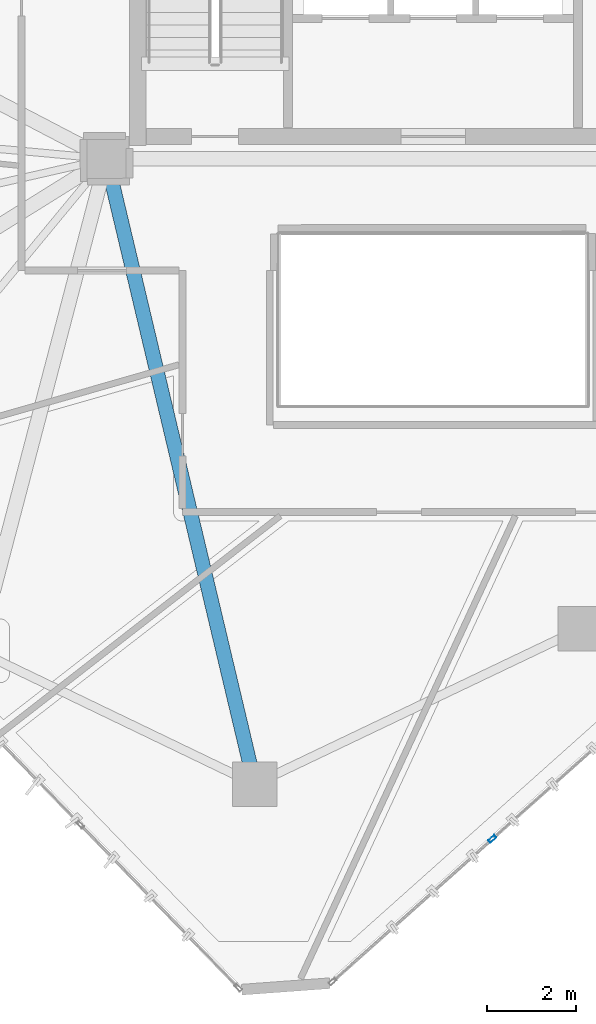
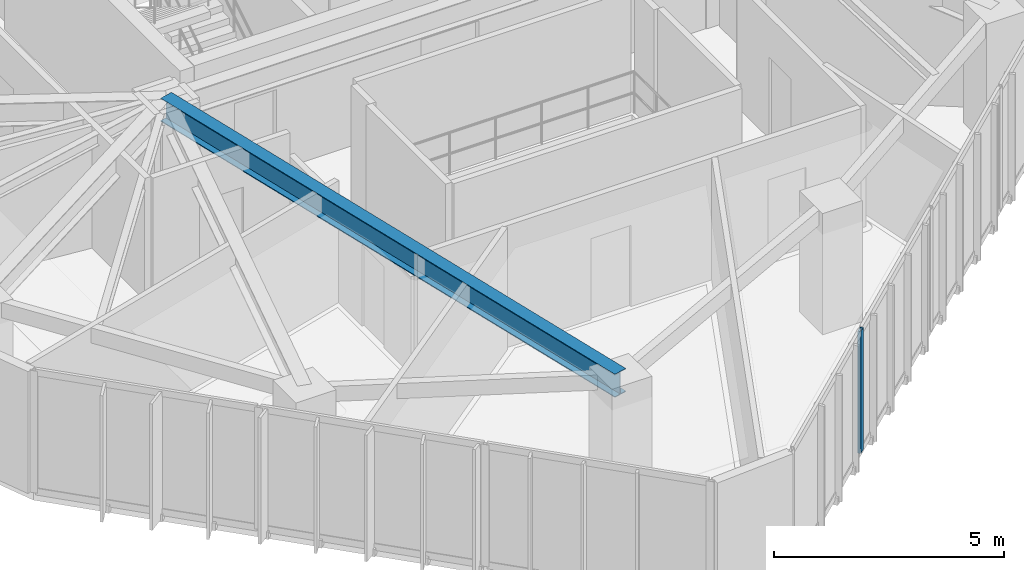
# One storey, part 4 of 19: 1 beam, 1 member, 1 element without a shape of its own.
"""IFC4 building model written with IfcOpenShell, lengths in metres."""

from ifc_helpers import new_model, si_unit, direction, frame, origin, origin_2d, place, context, subcontext, project, spatial, hollow_rectangle, i_section, extrude, source, transform, mapped, material, layer, layer_set, material_profile, profile_set, type_object, type_shapes, element, aggregate, save


model = new_model("IFC4")

# Units and contexts
model_context = context("Model", 3, precision=1e-05, world=origin(), true_north=direction((0.0, 1.0)))
body_context = subcontext(model_context, "Body", "Model", "MODEL_VIEW")
ifc_project = project(units=[si_unit("LENGTHUNIT", "METRE"), si_unit("AREAUNIT", "SQUARE_METRE"), si_unit("VOLUMEUNIT", "CUBIC_METRE"), si_unit("PLANEANGLEUNIT", "RADIAN"), si_unit("MASSUNIT", "GRAM", prefix="KILO")], contexts=[model_context])

# Site, building, storey
site_placement = place(None, origin())
site = spatial("IfcSite", under=ifc_project, at=site_placement, CompositionType="ELEMENT")
building_placement = place(site_placement, origin())
building = spatial("IfcBuilding", under=site, at=building_placement, Name="Talar Marvaseh", CompositionType="ELEMENT")
storey_placement = place(building_placement, frame((0.0, 0.0, 222.199951171875)))
storey = spatial("IfcBuildingStorey", under=building, at=storey_placement, Name="L58", CompositionType="ELEMENT", Elevation=222.199951171875)

# Beam
ifc_material_1 = material(Name="Steel S355", Category="steel")
ifc_material_profile_1 = material_profile(ifc_material_1, i_section(OverallWidth=0.324951171875, OverallDepth=0.615966796875, WebThickness=0.013916015625, FlangeThickness=0.021484375, at=origin_2d()), Name="W610x174")
ifc_profile_set_1 = profile_set([ifc_material_profile_1], Name="Steel S355")
beam_type = type_object("IfcBeamType", Name="Zone 3 Radial Floor Girder W610x174", PredefinedType="BEAM", material=ifc_profile_set_1)
beam_placement = place(storey_placement, frame((22.014892578125, 11.51904296875, 2.922119140625), z_axis=(-0.230707708791, 0.973023099985, 0.0), x_axis=(-0.973023099985, -0.230707708791, 0.0)))
element("IfcBeam", 1, at=beam_placement, inside=storey, type_object=beam_type, Name="L58 Zone 3 Radial Floor Girder W610x174", PredefinedType="BEAM", context=body_context, shape_type="SweptSolid", body=[
    extrude(i_section(OverallWidth=0.324951171875, OverallDepth=0.615966796875, WebThickness=0.013916015625, FlangeThickness=0.021484375, at=origin_2d()), origin(), (0.0, 0.0, 1.0), 14.36865234375),
])

# Curtain wall, member
ifc_material_2 = material(Name="Architectural Aluminium", Category="aluminium")
ifc_layer = layer(ifc_material_2, 0.18994140625)
ifc_layer_set = layer_set([ifc_layer], Name="Architectural Aluminium")
curtain_wall_type = type_object("IfcCurtainWallType", Name="Unitised Solar Atelier Curtain Wall Z3", PredefinedType="NOTDEFINED", material=ifc_layer_set)
curtain_wall_placement = place(storey_placement, origin())
curtain_wall = element("IfcCurtainWall", 2, at=curtain_wall_placement, inside=storey, type_object=curtain_wall_type, Name="L58 Unitised Solar Atelier Curtain Wall Z3", PredefinedType="NOTDEFINED")
ifc_material_profile_2 = material_profile(ifc_material_2, hollow_rectangle(XDim=0.074951171875, YDim=0.179931640625, WallThickness=0.0048828125, at=origin_2d()), Name="RHS180x75x5")
ifc_profile_set_2 = profile_set([ifc_material_profile_2], Name="Architectural Aluminium")
member_type = type_object("IfcMemberType", Name="Unitised Curtain Wall Standard Mullion RHS180x75x5", PredefinedType="MULLION", material=ifc_profile_set_2)
shared_shape = source(origin(), body_context, "Body", "SweptSolid", [
    extrude(hollow_rectangle(XDim=0.074951171875, YDim=0.179931640625, WallThickness=0.0048828125, at=origin_2d()), origin(), (0.0, 0.0, 1.0), 3.22998046875),
])
type_shapes(member_type, [shared_shape])
member_placement = place(storey_placement, frame((27.326416015625, 10.29541015625, 0.0), z_axis=(0.0, 0.0, 1.0), x_axis=(0.665997945274, -0.74595357556, 0.0)))
member = element("IfcMember", 3, at=member_placement, type_object=member_type, Name="CW-Z3 mullion 4", PredefinedType="MULLION", context=body_context, shape_type="MappedRepresentation", body=[
    mapped(shared_shape, transform((0.0, 0.0, 0.0), x_axis=(1.0, 0.0, 0.0), y_axis=(0.0, 1.0, 0.0), z_axis=(0.0, 0.0, 1.0), scale=1.0)),
])
aggregate(curtain_wall, [member])

save(model, "model.ifc")
